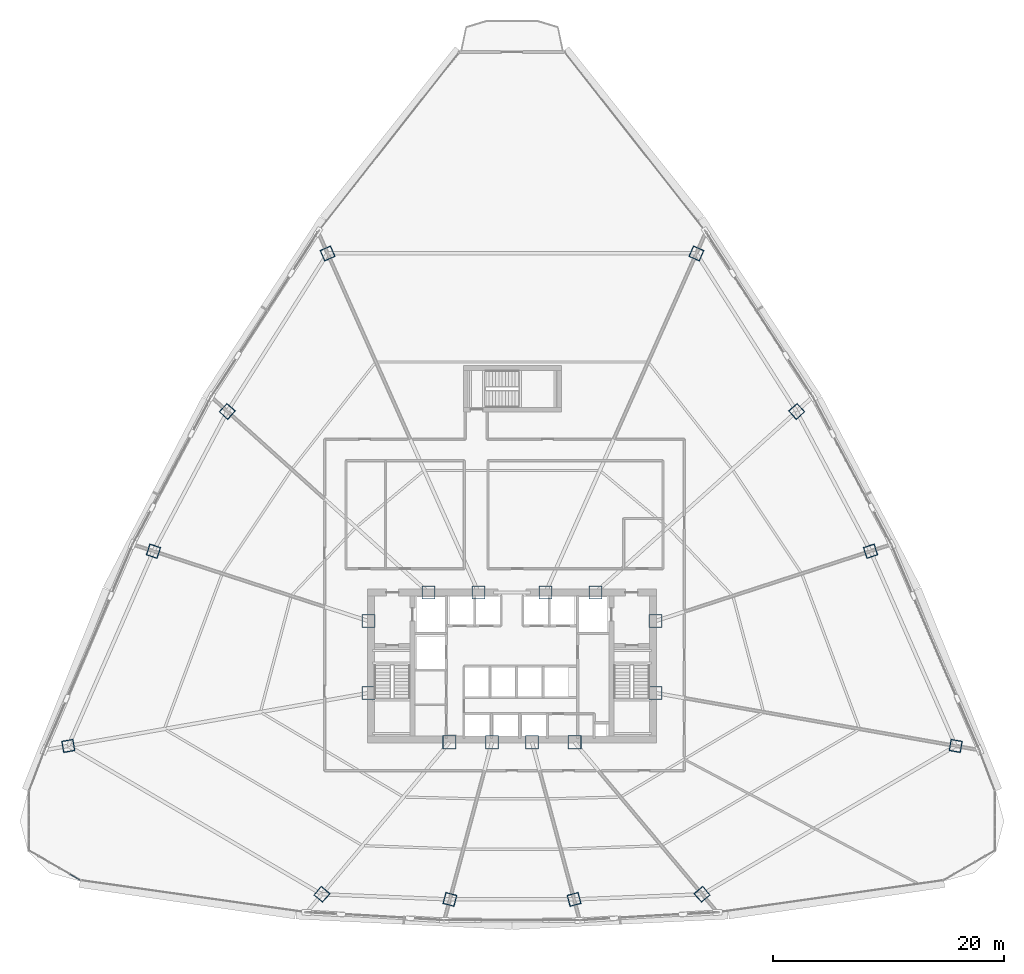
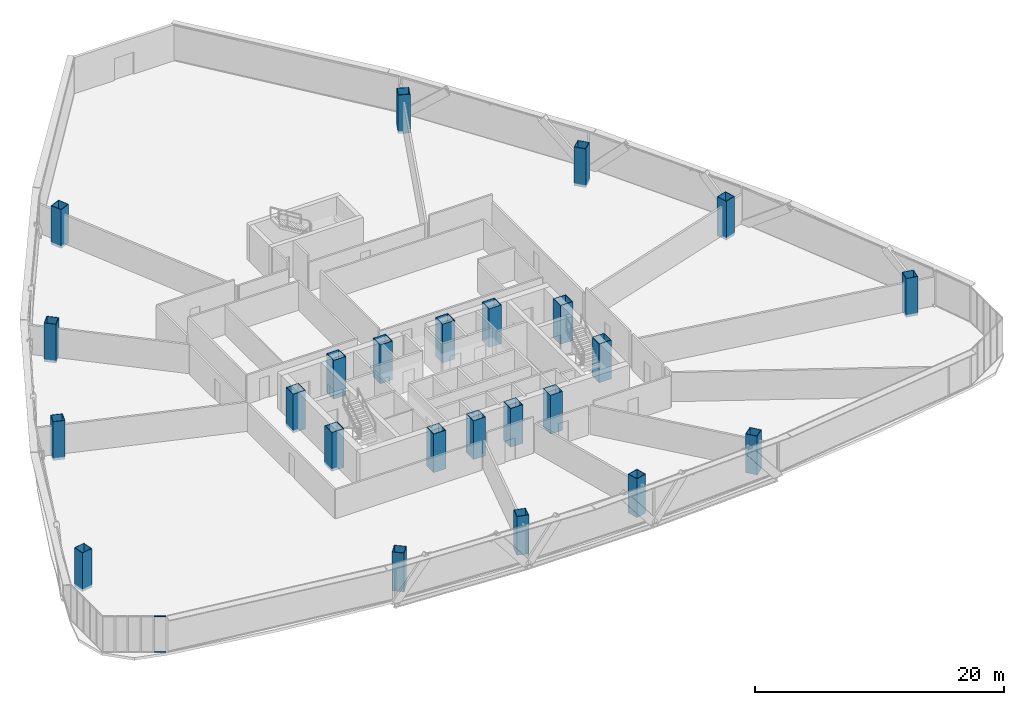
# One storey, part 1 of 39: 24 columns, 2 members, 1 element without a shape of its own.
"""IFC4 building model written with IfcOpenShell, lengths in metres."""

from ifc_helpers import new_model, si_unit, direction, frame, origin, origin_2d, place, context, subcontext, project, spatial, hollow_rectangle, extrude, source, transform, mapped, material, layer, layer_set, material_profile, profile_set, type_object, element, aggregate, save


model = new_model("IFC4")

# Units and contexts
model_context = context("Model", 3, precision=1e-05, world=origin(), true_north=direction((0.0, 1.0)))
body_context = subcontext(model_context, "Body", "Model", "MODEL_VIEW")
ifc_project = project(units=[si_unit("LENGTHUNIT", "METRE"), si_unit("AREAUNIT", "SQUARE_METRE"), si_unit("VOLUMEUNIT", "CUBIC_METRE"), si_unit("PLANEANGLEUNIT", "RADIAN"), si_unit("MASSUNIT", "GRAM", prefix="KILO"), si_unit("THERMODYNAMICTEMPERATUREUNIT", "KELVIN"), si_unit("POWERUNIT", "WATT")], contexts=[model_context])

# Site, building, storey
site_placement = place(None, origin())
site = spatial("IfcSite", under=ifc_project, at=site_placement, CompositionType="ELEMENT")
building_placement = place(site_placement, origin())
building = spatial("IfcBuilding", under=site, at=building_placement, Name="Yunzhuo Pagoda Commons", CompositionType="ELEMENT")
storey_placement = place(building_placement, frame((0.0, 0.0, 96.3798828125)))
storey = spatial("IfcBuildingStorey", under=building, at=storey_placement, Name="L24", CompositionType="ELEMENT", Elevation=96.3798828125)

# Columns
ifc_material_1 = material(Name="Structural steel Q420B", Category="steel")
ifc_material_profile_1 = material_profile(ifc_material_1, hollow_rectangle(XDim=1.14990234375, YDim=1.14990234375, WallThickness=0.048095703125, at=origin_2d()), Name="Structural steel Q420B")
ifc_profile_set_1 = profile_set([ifc_material_profile_1], Name="Structural steel Q420B")
column_type_1 = type_object("IfcColumnType", Name="C-COR Column BOX 1150x1150x48", PredefinedType="COLUMN", material=ifc_profile_set_1)
shared_shape_1 = source(origin(), body_context, "Body", "SweptSolid", [
    extrude(hollow_rectangle(XDim=1.14990234375, YDim=1.14990234375, WallThickness=0.048095703125, at=origin_2d()), origin(), (0.0, 0.0, 1.0), 3.7998046875),
])
for number, where, z_axis, x_axis, name in (
    (1, (42.587890625, 27.25, -0.259765625), (0.0, 0.0, 1.0), (1.0, 0.0, 0.0), "L24 core composite column F1C1"),
    (2, (46.27197265625, 27.25, -0.259765625), (0.0, 0.0, 1.0), (1.0, 0.0, 0.0), "L24 core composite column F1C2"),
    (3, (49.728515625, 27.25, -0.259765625), (0.0, 0.0, 1.0), (1.0, 0.0, 0.0), "L24 core composite column F1C3"),
    (4, (53.412109375, 27.25, -0.259765625), (0.0, 0.0, 1.0), (1.0, 0.0, 0.0), "L24 core composite column F1C4"),
    (5, (60.39990234375, 31.513427734375, -0.259765625), (0.0, 0.0, 1.0), (1.0, 0.0, 0.0), "L24 core composite column F2C1"),
    (6, (60.39990234375, 37.72900390625, -0.259765625), (0.0, 0.0, 1.0), (1.0, 0.0, 0.0), "L24 core composite column F2C2"),
    (7, (55.218994140625, 40.199951171875, -0.259765625), (0.0, 0.0, 1.0), (1.0, 0.0, 0.0), "L24 core composite column F2C3"),
    (8, (50.89404296875, 40.199951171875, -0.259765625), (0.0, 0.0, 1.0), (1.0, 0.0, 0.0), "L24 core composite column F2C4"),
    (9, (45.10595703125, 40.199951171875, -0.259765625), (0.0, 0.0, 1.0), (1.0, 0.0, 0.0), "L24 core composite column F3C1"),
    (10, (40.781005859375, 40.199951171875, -0.259765625), (0.0, 0.0, 1.0), (1.0, 0.0, 0.0), "L24 core composite column F3C2"),
    (11, (35.60009765625, 37.72900390625, -0.259765625), (0.0, 0.0, 1.0), (1.0, 0.0, 0.0), "L24 core composite column F3C3"),
    (12, (35.60009765625, 31.513427734375, -0.259765625), (0.0, 0.0, 1.0), (1.0, 0.0, 0.0), "L24 core composite column F3C4"),
):
    element("IfcColumn", number, at=place(storey_placement, frame(where, z_axis=z_axis, x_axis=x_axis)), inside=storey, type_object=column_type_1, Name=name, PredefinedType="COLUMN", context=body_context, shape_type="MappedRepresentation", body=[
        mapped(shared_shape_1, transform((0.0, 0.0, 0.0), scale=1.0)),
    ])
ifc_material_profile_2 = material_profile(ifc_material_1, hollow_rectangle(XDim=1.0, YDim=1.0, WallThickness=0.0419921875, at=origin_2d()), Name="Structural steel Q420B")
ifc_profile_set_2 = profile_set([ifc_material_profile_2], Name="Structural steel Q420B")
column_type_2 = type_object("IfcColumnType", Name="C-Z2 Column BOX 1000x1000x42", PredefinedType="COLUMN", material=ifc_profile_set_2)
shared_shape_2 = source(origin(), body_context, "Body", "SweptSolid", [
    extrude(hollow_rectangle(XDim=1.0, YDim=1.0, WallThickness=0.0419921875, at=origin_2d()), origin(), (0.0, 0.0, 1.0), 3.7998046875),
])
for number, where, z_axis, x_axis, name in (
    (13, (31.56396484375, 14.1123046875, -0.259765625), (0.0, 0.0, 1.0), (0.766044443119, -0.642787609687, 0.0), "L24 tower column F1C1"),
    (14, (42.632568359375, 13.66845703125, -0.259765625), (0.0, 0.0, 1.0), (0.965925826289, -0.258819045103, 0.0), "L24 tower column F1C2"),
    (15, (53.367431640625, 13.66845703125, -0.259765625), (0.0, 0.0, 1.0), (0.965925826289, 0.258819045103, 0.0), "L24 tower column F1C3"),
    (16, (64.43603515625, 14.1123046875, -0.259765625), (0.0, 0.0, 1.0), (0.766044443119, 0.642787609687, 0.0), "L24 tower column F1C4"),
    (17, (86.352783203125, 26.9375, -0.259765625), (0.0, 0.0, 1.0), (0.173648177667, 0.984807753012, 0.0), "L24 tower column F2C1"),
    (18, (78.99072265625, 43.76953125, -0.259765625), (0.0, 0.0, 1.0), (-0.309016994375, 0.951056516295, 0.0), "L24 tower column F2C2"),
    (19, (72.602783203125, 55.852294921875, -0.259765625), (0.0, 0.0, 1.0), (-0.669130606359, 0.743144825477, 0.0), "L24 tower column F2C3"),
    (20, (63.94140625, 69.505126953125, -0.259765625), (0.0, 0.0, 1.0), (-0.913545457643, 0.406736643076, 0.0), "L24 tower column F2C4"),
    (21, (32.05859375, 69.505126953125, -0.259765625), (0.0, 0.0, 1.0), (-0.913545457643, -0.406736643076, 0.0), "L24 tower column F3C1"),
    (22, (23.397216796875, 55.852294921875, -0.259765625), (0.0, 0.0, 1.0), (-0.669130606359, -0.743144825477, 0.0), "L24 tower column F3C2"),
    (23, (17.00927734375, 43.76953125, -0.259765625), (0.0, 0.0, 1.0), (-0.309016994375, -0.951056516295, 0.0), "L24 tower column F3C3"),
    (24, (9.647216796875, 26.9375, -0.259765625), (0.0, 0.0, 1.0), (0.173648177667, -0.984807753012, 0.0), "L24 tower column F3C4"),
):
    element("IfcColumn", number, at=place(storey_placement, frame(where, z_axis=z_axis, x_axis=x_axis)), inside=storey, type_object=column_type_2, Name=name, PredefinedType="COLUMN", context=body_context, shape_type="MappedRepresentation", body=[
        mapped(shared_shape_2, transform((0.0, 0.0, 0.0), scale=1.0)),
    ])

# Curtain wall, members
ifc_material_2 = material(Name="Anodized aluminium 6063-T6", Category="aluminium")
ifc_layer = layer(ifc_material_2, 0.1298828125)
ifc_layer_set = layer_set([ifc_layer], Name="Anodized aluminium 6063-T6")
curtain_wall_type = type_object("IfcCurtainWallType", Name="CW-VTX Rounded Corner Curtain Wall", PredefinedType="NOTDEFINED", material=ifc_layer_set)
curtain_wall_placement = place(storey_placement, origin())
curtain_wall = element("IfcCurtainWall", 25, at=curtain_wall_placement, inside=storey, type_object=curtain_wall_type, Name="L24 curtain wall CW-L24-VTX1S2", PredefinedType="NOTDEFINED")
ifc_material_profile_3 = material_profile(ifc_material_2, hollow_rectangle(XDim=0.054931640625, YDim=0.1201171875, WallThickness=0.00341796875, at=origin_2d()), Name="Anodized aluminium 6063-T6")
ifc_profile_set_3 = profile_set([ifc_material_profile_3], Name="Anodized aluminium 6063-T6")
member_type = type_object("IfcMemberType", Name="CW-VTX-T Transom RHS 120x55x3.5", PredefinedType="USERDEFINED", material=ifc_profile_set_3)
shared_shape_3 = source(origin(), body_context, "Body", "SweptSolid", [
    extrude(hollow_rectangle(XDim=0.054931640625, YDim=0.1201171875, WallThickness=0.00341796875, at=origin_2d()), origin(), (0.0, 0.0, 1.0), 0.952880859375),
])
member_1_placement = place(storey_placement, frame((9.807373046875, 15.8349609375, 0.027587890625), z_axis=(0.865391204156, -0.501096860666, 0.0), x_axis=(0.501096860666, 0.865391204156, 0.0)))
member_1 = element("IfcMember", 26, at=member_1_placement, type_object=member_type, Name="CW transom 5.1", ObjectType="TRANSOM", PredefinedType="USERDEFINED", context=body_context, shape_type="MappedRepresentation", body=[
    mapped(shared_shape_3, transform((0.0, 0.0, 0.0), scale=1.0)),
])
member_2_placement = place(storey_placement, frame((9.807373046875, 15.8349609375, 3.5126953125), z_axis=(0.865391204156, -0.501096860666, 0.0), x_axis=(0.501096860666, 0.865391204156, 0.0)))
member_2 = element("IfcMember", 27, at=member_2_placement, type_object=member_type, Name="CW transom 5.2", ObjectType="TRANSOM", PredefinedType="USERDEFINED", context=body_context, shape_type="MappedRepresentation", body=[
    mapped(shared_shape_3, transform((0.0, 0.0, 0.0), scale=1.0)),
])
aggregate(curtain_wall, [member_1, member_2])

save(model, "model.ifc")
